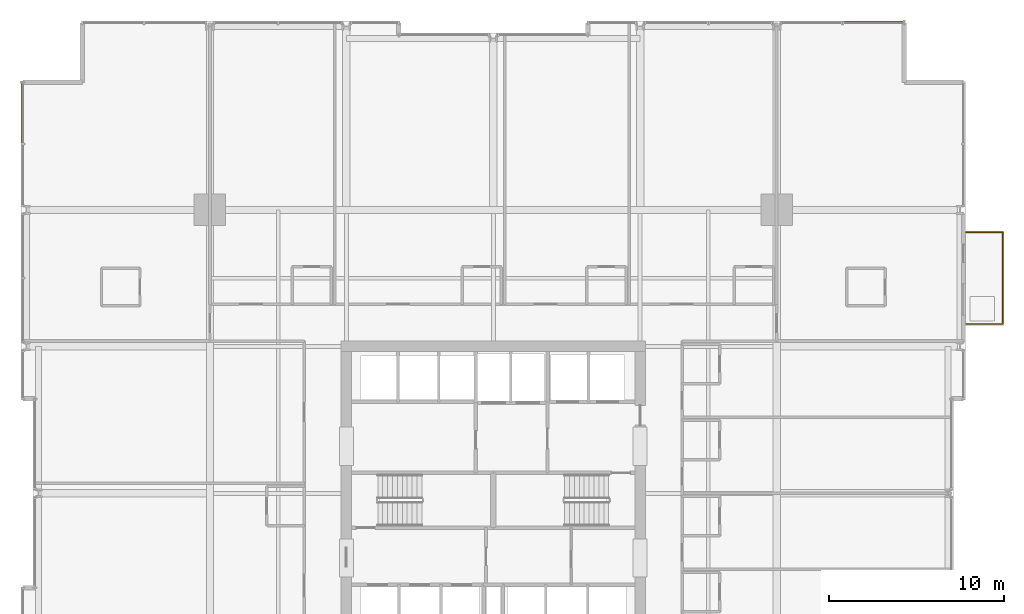
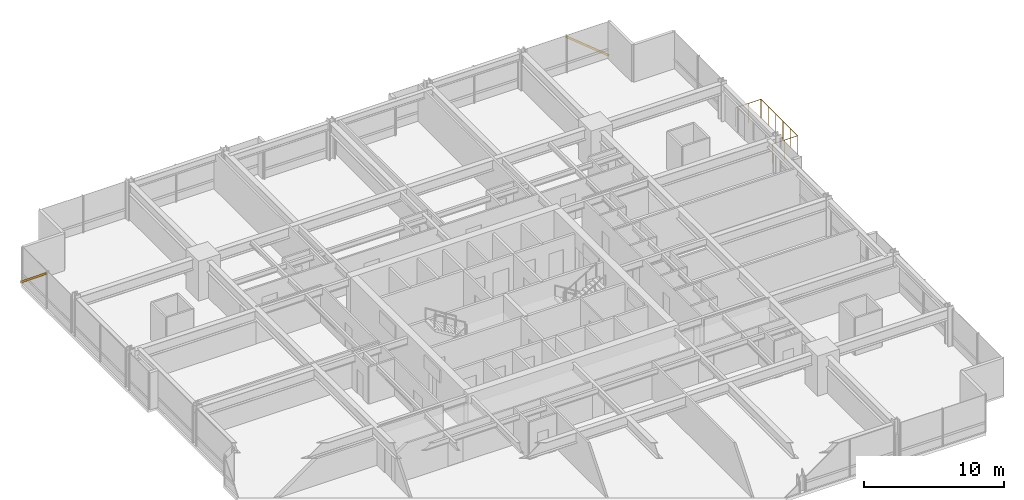
# One storey, part 38 of 38: 2 shading devices, 1 railing.
"""IFC4 building model written with IfcOpenShell, lengths in metres."""

from ifc_helpers import new_model, si_unit, direction, frame, origin, origin_2d, place, context, subcontext, project, spatial, hollow_rectangle, circle, extrude, material, material_profile, profile_set, type_object, element, save


model = new_model("IFC4")

# Units and contexts
model_context = context("Model", 3, precision=1e-05, world=origin(), true_north=direction((0.0, 1.0)))
body_context = subcontext(model_context, "Body", "Model", "MODEL_VIEW")
ifc_project = project(units=[si_unit("LENGTHUNIT", "METRE"), si_unit("AREAUNIT", "SQUARE_METRE"), si_unit("VOLUMEUNIT", "CUBIC_METRE"), si_unit("PLANEANGLEUNIT", "RADIAN"), si_unit("MASSUNIT", "GRAM", prefix="KILO")], contexts=[model_context])

# Site, building, storey
site_placement = place(None, origin())
site = spatial("IfcSite", under=ifc_project, at=site_placement, CompositionType="ELEMENT")
building_placement = place(site_placement, origin())
building = spatial("IfcBuilding", under=site, at=building_placement, Name="Drelvath Grand Hotel", CompositionType="ELEMENT")
storey_placement = place(building_placement, frame((0.0, 0.0, 47.199951171875)))
storey = spatial("IfcBuildingStorey", under=building, at=storey_placement, Name="L10", CompositionType="ELEMENT", Elevation=47.199951171875)

# Shading devices
ifc_material_1 = material(Name="Warm Bronze Anodised Aluminium", Category="aluminium")
ifc_material_profile = material_profile(ifc_material_1, hollow_rectangle(XDim=0.06494140625, YDim=0.159912109375, WallThickness=0.00390625, at=origin_2d()), Name="HSS160X65X4")
ifc_profile_set = profile_set([ifc_material_profile], Name="Warm Bronze Anodised Aluminium")
shading_device_type = type_object("IfcShadingDeviceType", Name="Diagonal Solar Fin Warm Bronze Anodised HSS160X65X4", PredefinedType="USERDEFINED", material=ifc_profile_set)
for number, where, z_axis, x_axis, name in (
    (1, (-26.9599609375, 50.5, 0.179931640625), (0.0, -0.774782809762, 0.632227488882), (1.0, 0.0, 0.0), "L10 Diagonal Anodised Fin CW02-L10-WN3"),
    (2, (23.5, 53.9599609375, 0.179931640625), (-0.774782809762, 0.0, 0.632227488882), (0.0, -1.0, 0.0), "L10 Diagonal Anodised Fin CW02-L10-NE3"),
):
    element("IfcShadingDevice", number, at=place(storey_placement, frame(where, z_axis=z_axis, x_axis=x_axis)), inside=storey, type_object=shading_device_type, Name=name, ObjectType="FIN", PredefinedType="USERDEFINED", context=body_context, shape_type="SweptSolid", body=[
        extrude(hollow_rectangle(XDim=0.06494140625, YDim=0.159912109375, WallThickness=0.00390625, at=origin_2d()), origin(), (0.0, 0.0, 1.0), 4.555419921875),
    ])

# Railing
ifc_material_2 = material(Name="Anodised Aluminium and Laminated Glass Balustrade", Category="aluminium")
railing_type = type_object("IfcRailingType", Name="Raised Planter Edge Balustrade 1700", PredefinedType="BALUSTRADE", material=ifc_material_2)
railing_placement = place(storey_placement, frame((27.02001953125, 36.679931640625, 0.0)))
element("IfcRailing", 3, at=railing_placement, inside=storey, type_object=railing_type, Name="L10 Tree Balcony Perimeter Balustrade 1", PredefinedType="BALUSTRADE", context=body_context, shape_type="SweptSolid", body=[
    extrude(circle(Radius=0.02392578125, at=origin_2d()), frame((0.0, 0.0, 1.67578125), z_axis=(1.0, 0.0, 0.0), x_axis=(0.0, 1.0, 0.0)), (0.0, 0.0, 1.0), 2.10009765625),
    extrude(circle(Radius=0.02392578125, at=origin_2d()), frame((2.10009765625, 0.0, 1.67578125), z_axis=(0.0, 1.0, 0.0), x_axis=(-1.0, 0.0, 0.0)), (0.0, 0.0, 1.0), 5.239990234375),
    extrude(circle(Radius=0.02392578125, at=origin_2d()), frame((2.10009765625, 5.239990234375, 1.67578125), z_axis=(-1.0, 0.0, 0.0), x_axis=(0.0, -1.0, 0.0)), (0.0, 0.0, 1.0), 2.10009765625),
    extrude(circle(Radius=0.02099609375, at=origin_2d()), origin(), (0.0, 0.0, 1.0), 1.65185546875),
    extrude(circle(Radius=0.02099609375, at=origin_2d()), frame((1.050048828125, 0.0, 0.0)), (0.0, 0.0, 1.0), 1.65185546875),
    extrude(circle(Radius=0.02099609375, at=origin_2d()), frame((2.10009765625, 0.0, 0.0)), (0.0, 0.0, 1.0), 1.65185546875),
    extrude(circle(Radius=0.02099609375, at=origin_2d()), frame((2.10009765625, 1.048095703125, 0.0)), (0.0, 0.0, 1.0), 1.65185546875),
    extrude(circle(Radius=0.02099609375, at=origin_2d()), frame((2.10009765625, 2.095947265625, 0.0)), (0.0, 0.0, 1.0), 1.65185546875),
    extrude(circle(Radius=0.02099609375, at=origin_2d()), frame((2.10009765625, 3.14404296875, 0.0)), (0.0, 0.0, 1.0), 1.65185546875),
    extrude(circle(Radius=0.02099609375, at=origin_2d()), frame((2.10009765625, 4.19189453125, 0.0)), (0.0, 0.0, 1.0), 1.65185546875),
    extrude(circle(Radius=0.02099609375, at=origin_2d()), frame((2.10009765625, 5.239990234375, 0.0)), (0.0, 0.0, 1.0), 1.65185546875),
    extrude(circle(Radius=0.02099609375, at=origin_2d()), frame((1.050048828125, 5.239990234375, 0.0)), (0.0, 0.0, 1.0), 1.65185546875),
    extrude(circle(Radius=0.02099609375, at=origin_2d()), frame((0.0, 5.239990234375, 0.0)), (0.0, 0.0, 1.0), 1.65185546875),
])

save(model, "model.ifc")
